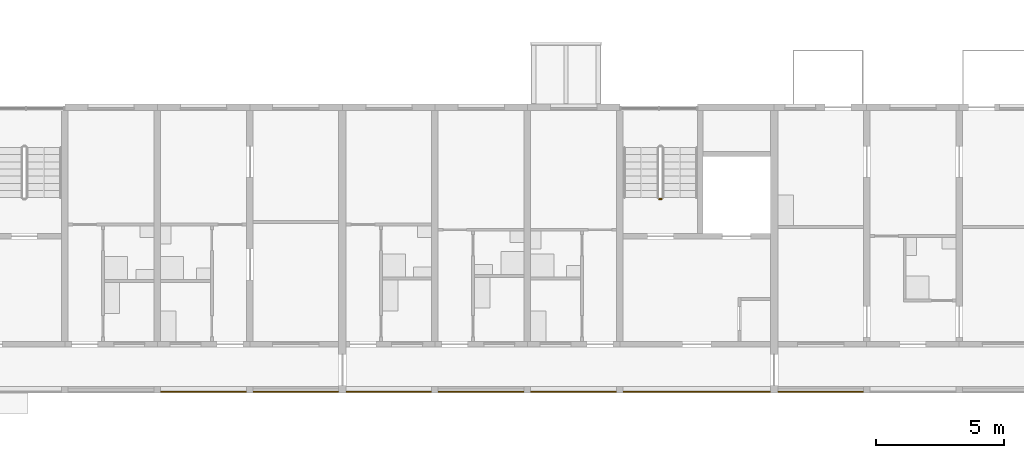
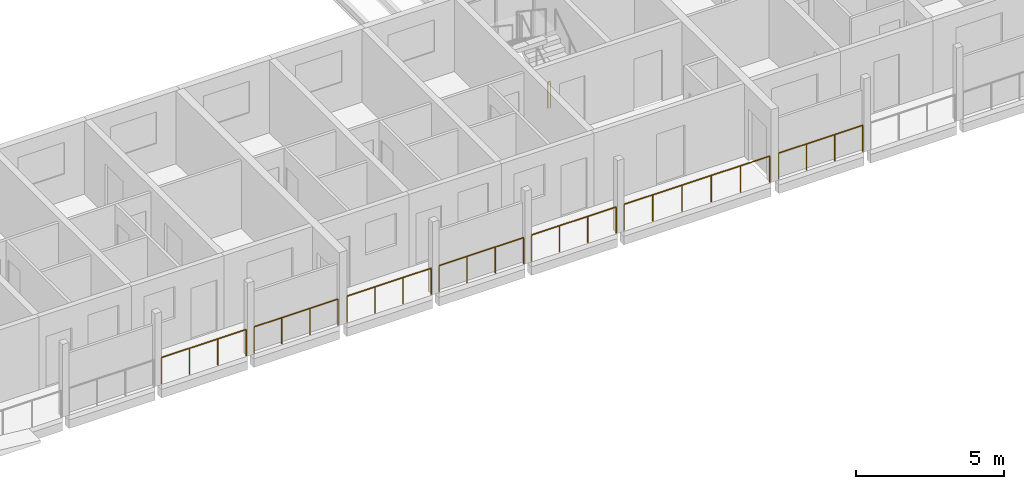
# One storey, part 87 of 100: 8 railings.
"""IFC4 building model written with IfcOpenShell, lengths in metres."""

from ifc_helpers import new_model, si_unit, direction, frame, origin, origin_2d, place, context, subcontext, project, spatial, circle, extrude, material, type_object, element, save


model = new_model("IFC4")

# Units and contexts
model_context = context("Model", 3, precision=1e-05, world=origin(), true_north=direction((0.0, 1.0)))
body_context = subcontext(model_context, "Body", "Model", "MODEL_VIEW")
ifc_project = project(units=[si_unit("LENGTHUNIT", "METRE"), si_unit("AREAUNIT", "SQUARE_METRE"), si_unit("VOLUMEUNIT", "CUBIC_METRE"), si_unit("PLANEANGLEUNIT", "RADIAN"), si_unit("MASSUNIT", "GRAM", prefix="KILO")], contexts=[model_context])

# Site, building, storey
site_placement = place(None, origin())
site = spatial("IfcSite", under=ifc_project, at=site_placement, CompositionType="ELEMENT")
building_placement = place(site_placement, origin())
building = spatial("IfcBuilding", under=site, at=building_placement, Name="Ridgestep Commons", CompositionType="ELEMENT")
storey_placement = place(building_placement, frame((0.0, 0.0, 9.0)))
storey = spatial("IfcBuildingStorey", under=building, at=storey_placement, Name="L03", CompositionType="ELEMENT", Elevation=9.0)

# Railings
ifc_material_1 = material(Name="Structural steel S355JR", Category="steel")
railing_type_1 = type_object("IfcRailingType", Name="Guard 1100", PredefinedType="GUARDRAIL", material=ifc_material_1)
railing_1_placement = place(storey_placement, frame((173.345947265625, 11.800048828125, 0.0)))
element("IfcRailing", 1, at=railing_1_placement, inside=storey, type_object=railing_type_1, Name="Gallery guard D 03.7", PredefinedType="GUARDRAIL", context=body_context, shape_type="SweptSolid", body=[
    extrude(circle(Radius=0.02392578125, at=origin_2d()), frame((0.0, 0.0, 1.076171875), z_axis=(1.0, 0.0, 0.0), x_axis=(0.0, 1.0, 0.0)), (0.0, 0.0, 1.0), 3.30810546875),
    extrude(circle(Radius=0.02099609375, at=origin_2d()), origin(), (0.0, 0.0, 1.0), 1.052001953125),
    extrude(circle(Radius=0.02099609375, at=origin_2d()), frame((1.102783203125, 0.0, 0.0)), (0.0, 0.0, 1.0), 1.052001953125),
    extrude(circle(Radius=0.02099609375, at=origin_2d()), frame((2.205322265625, 0.0, 0.0)), (0.0, 0.0, 1.0), 1.052001953125),
    extrude(circle(Radius=0.02099609375, at=origin_2d()), frame((3.30810546875, 0.0, 0.0)), (0.0, 0.0, 1.0), 1.052001953125),
])
for number, where, name in (
    (2, (176.946044921875, 11.800048828125, 0.0), "Gallery guard D 03.8"),
    (3, (180.571044921875, 11.800048828125, 0.0), "Gallery guard D 03.9"),
):
    element("IfcRailing", number, at=place(storey_placement, frame(where)), inside=storey, type_object=railing_type_1, Name=name, PredefinedType="GUARDRAIL", context=body_context, shape_type="SweptSolid", body=[
        extrude(circle(Radius=0.02392578125, at=origin_2d()), frame((0.0, 0.0, 1.076171875), z_axis=(1.0, 0.0, 0.0), x_axis=(0.0, 1.0, 0.0)), (0.0, 0.0, 1.0), 3.282958984375),
        extrude(circle(Radius=0.02099609375, at=origin_2d()), origin(), (0.0, 0.0, 1.0), 1.052001953125),
        extrude(circle(Radius=0.02099609375, at=origin_2d()), frame((1.09423828125, 0.0, 0.0)), (0.0, 0.0, 1.0), 1.052001953125),
        extrude(circle(Radius=0.02099609375, at=origin_2d()), frame((2.188720703125, 0.0, 0.0)), (0.0, 0.0, 1.0), 1.052001953125),
        extrude(circle(Radius=0.02099609375, at=origin_2d()), frame((3.282958984375, 0.0, 0.0)), (0.0, 0.0, 1.0), 1.052001953125),
    ])
railing_2_placement = place(storey_placement, frame((184.14599609375, 11.800048828125, 0.0)))
element("IfcRailing", 4, at=railing_2_placement, inside=storey, type_object=railing_type_1, Name="Gallery guard D 03.10", PredefinedType="GUARDRAIL", context=body_context, shape_type="SweptSolid", body=[
    extrude(circle(Radius=0.02392578125, at=origin_2d()), frame((0.0, 0.0, 1.076171875), z_axis=(1.0, 0.0, 0.0), x_axis=(0.0, 1.0, 0.0)), (0.0, 0.0, 1.0), 3.30810546875),
    extrude(circle(Radius=0.02099609375, at=origin_2d()), origin(), (0.0, 0.0, 1.0), 1.052001953125),
    extrude(circle(Radius=0.02099609375, at=origin_2d()), frame((1.102783203125, 0.0, 0.0)), (0.0, 0.0, 1.0), 1.052001953125),
    extrude(circle(Radius=0.02099609375, at=origin_2d()), frame((2.205322265625, 0.0, 0.0)), (0.0, 0.0, 1.0), 1.052001953125),
    extrude(circle(Radius=0.02099609375, at=origin_2d()), frame((3.30810546875, 0.0, 0.0)), (0.0, 0.0, 1.0), 1.052001953125),
])
railing_3_placement = place(storey_placement, frame((187.74609375, 11.800048828125, 0.0)))
element("IfcRailing", 5, at=railing_3_placement, inside=storey, type_object=railing_type_1, Name="Gallery guard D 03.11", PredefinedType="GUARDRAIL", context=body_context, shape_type="SweptSolid", body=[
    extrude(circle(Radius=0.02392578125, at=origin_2d()), frame((0.0, 0.0, 1.076171875), z_axis=(1.0, 0.0, 0.0), x_axis=(0.0, 1.0, 0.0)), (0.0, 0.0, 1.0), 3.307861328125),
    extrude(circle(Radius=0.02099609375, at=origin_2d()), origin(), (0.0, 0.0, 1.0), 1.052001953125),
    extrude(circle(Radius=0.02099609375, at=origin_2d()), frame((1.1025390625, 0.0, 0.0)), (0.0, 0.0, 1.0), 1.052001953125),
    extrude(circle(Radius=0.02099609375, at=origin_2d()), frame((2.205322265625, 0.0, 0.0)), (0.0, 0.0, 1.0), 1.052001953125),
    extrude(circle(Radius=0.02099609375, at=origin_2d()), frame((3.307861328125, 0.0, 0.0)), (0.0, 0.0, 1.0), 1.052001953125),
])
railing_4_placement = place(storey_placement, frame((191.345947265625, 11.800048828125, 0.0)))
element("IfcRailing", 6, at=railing_4_placement, inside=storey, type_object=railing_type_1, Name="Gallery guard D 03.12", PredefinedType="GUARDRAIL", context=body_context, shape_type="SweptSolid", body=[
    extrude(circle(Radius=0.02392578125, at=origin_2d()), frame((0.0, 0.0, 1.076171875), z_axis=(1.0, 0.0, 0.0), x_axis=(0.0, 1.0, 0.0)), (0.0, 0.0, 1.0), 5.68310546875),
    extrude(circle(Radius=0.02099609375, at=origin_2d()), origin(), (0.0, 0.0, 1.0), 1.052001953125),
    extrude(circle(Radius=0.02099609375, at=origin_2d()), frame((1.13671875, 0.0, 0.0)), (0.0, 0.0, 1.0), 1.052001953125),
    extrude(circle(Radius=0.02099609375, at=origin_2d()), frame((2.273193359375, 0.0, 0.0)), (0.0, 0.0, 1.0), 1.052001953125),
    extrude(circle(Radius=0.02099609375, at=origin_2d()), frame((3.409912109375, 0.0, 0.0)), (0.0, 0.0, 1.0), 1.052001953125),
    extrude(circle(Radius=0.02099609375, at=origin_2d()), frame((4.54638671875, 0.0, 0.0)), (0.0, 0.0, 1.0), 1.052001953125),
    extrude(circle(Radius=0.02099609375, at=origin_2d()), frame((5.68310546875, 0.0, 0.0)), (0.0, 0.0, 1.0), 1.052001953125),
])
railing_5_placement = place(storey_placement, frame((197.37109375, 11.800048828125, 0.0)))
element("IfcRailing", 7, at=railing_5_placement, inside=storey, type_object=railing_type_1, Name="Gallery guard D 03.13", PredefinedType="GUARDRAIL", context=body_context, shape_type="SweptSolid", body=[
    extrude(circle(Radius=0.02392578125, at=origin_2d()), frame((0.0, 0.0, 1.076171875), z_axis=(1.0, 0.0, 0.0), x_axis=(0.0, 1.0, 0.0)), (0.0, 0.0, 1.0), 3.282958984375),
    extrude(circle(Radius=0.02099609375, at=origin_2d()), origin(), (0.0, 0.0, 1.0), 1.052001953125),
    extrude(circle(Radius=0.02099609375, at=origin_2d()), frame((1.09423828125, 0.0, 0.0)), (0.0, 0.0, 1.0), 1.052001953125),
    extrude(circle(Radius=0.02099609375, at=origin_2d()), frame((2.188720703125, 0.0, 0.0)), (0.0, 0.0, 1.0), 1.052001953125),
    extrude(circle(Radius=0.02099609375, at=origin_2d()), frame((3.282958984375, 0.0, 0.0)), (0.0, 0.0, 1.0), 1.052001953125),
])
ifc_material_2 = material(Name="Structural steel S355JR", Category="steel")
railing_type_2 = type_object("IfcRailingType", Name="Stair guard 1100", PredefinedType="GUARDRAIL", material=ifc_material_2)
railing_6_placement = place(storey_placement, frame((192.824951171875, 19.300048828125, 0.0)))
element("IfcRailing", 8, at=railing_6_placement, inside=storey, type_object=railing_type_2, Name="L03 D3C stair guard 4", PredefinedType="GUARDRAIL", context=body_context, shape_type="SweptSolid", body=[
    extrude(circle(Radius=0.02392578125, at=origin_2d()), frame((0.0, 0.0, 1.076171875), z_axis=(-1.0, 0.0, 0.0), x_axis=(0.0, -1.0, 0.0)), (0.0, 0.0, 1.0), 0.099853515625),
    extrude(circle(Radius=0.02099609375, at=origin_2d()), origin(), (0.0, 0.0, 1.0), 1.052001953125),
    extrude(circle(Radius=0.02099609375, at=origin_2d()), frame((-0.099853515625, 0.0, 0.0)), (0.0, 0.0, 1.0), 1.052001953125),
])

save(model, "model.ifc")
